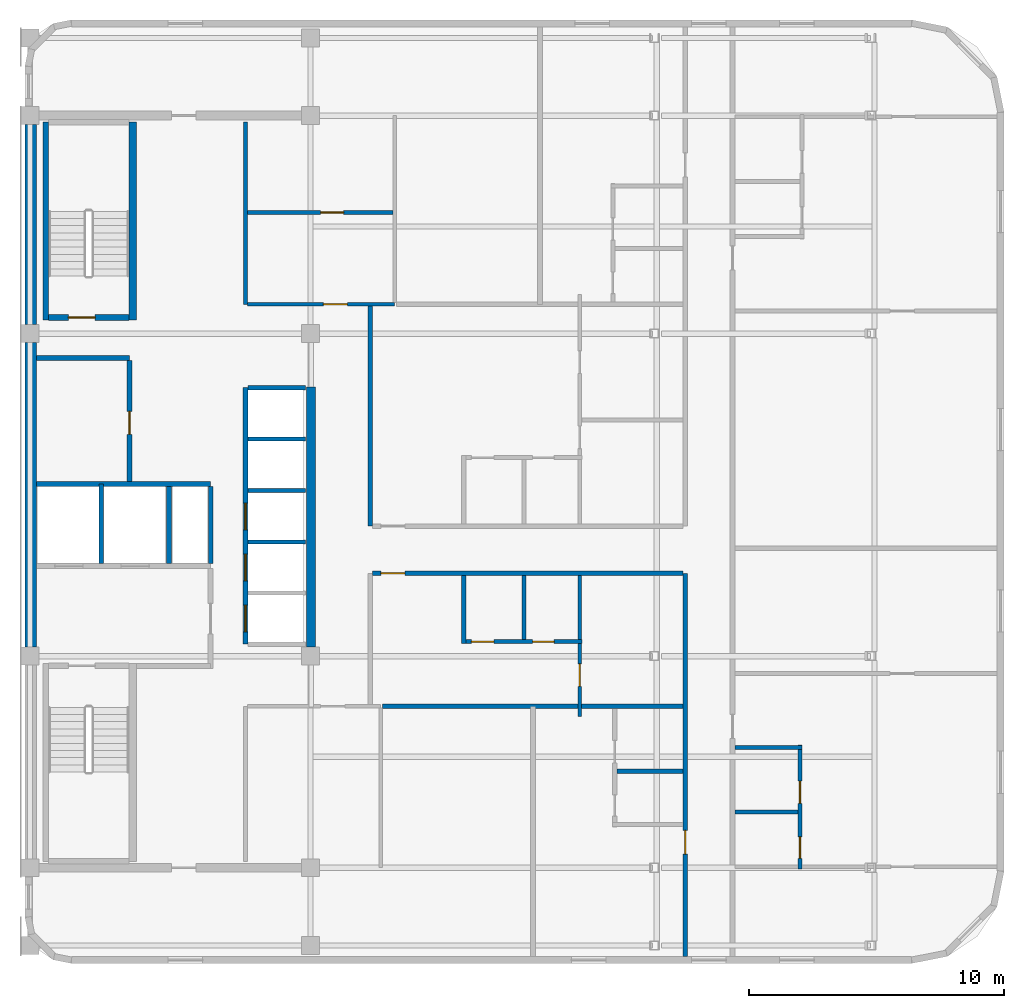
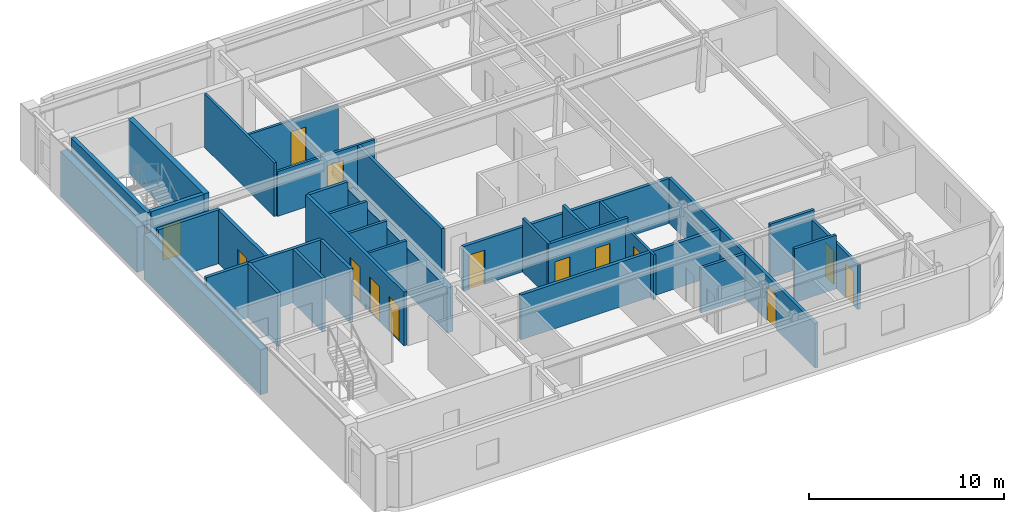
# One storey, part 3 of 6: 32 walls, 14 doors, 14 openings.
"""IFC4 building model written with IfcOpenShell, lengths in metres."""

from ifc_helpers import new_model, si_unit, direction, frame, frame_2d, origin, place, context, subcontext, project, spatial, rectangle, extrude, material, layer, layer_set, type_object, element, fill, save


model = new_model("IFC4")

# Units and contexts
model_context = context("Model", 3, precision=1e-05, world=origin(), true_north=direction((0.0, 1.0)))
body_context = subcontext(model_context, "Body", "Model", "MODEL_VIEW")
ifc_project = project(units=[si_unit("LENGTHUNIT", "METRE"), si_unit("AREAUNIT", "SQUARE_METRE"), si_unit("VOLUMEUNIT", "CUBIC_METRE"), si_unit("PLANEANGLEUNIT", "RADIAN"), si_unit("MASSUNIT", "GRAM", prefix="KILO")], contexts=[model_context])

# Site, building, storey
site_placement = place(None, origin())
site = spatial("IfcSite", under=ifc_project, at=site_placement, CompositionType="ELEMENT")
building_placement = place(site_placement, origin())
building = spatial("IfcBuilding", under=site, at=building_placement, Name="Ochreholt Gables", CompositionType="ELEMENT")
storey_placement = place(building_placement, frame((0.0, 0.0, 249.60009765625)))
storey = spatial("IfcBuildingStorey", under=building, at=storey_placement, Name="L65", CompositionType="ELEMENT", Elevation=249.60009765625)

# Walls
ifc_material_1 = material(Name="Concrete 50 MPa", Category="concrete")
ifc_layer_1 = layer(ifc_material_1, 0.35009765625, Name="Concrete 50 MPa")
ifc_layer_set_1 = layer_set([ifc_layer_1], Name="Concrete 50 MPa")
wall_type_1 = type_object("IfcWallType", Name="WALL-CSW-350", PredefinedType="SHEAR", material=ifc_layer_set_1)
wall_1_placement = place(storey_placement, frame((35.22509765625, 17.89990234375, 0.0), z_axis=(0.0, 0.0, 1.0), x_axis=(0.0, 1.0, 0.0)))
element("IfcWall", 1, at=wall_1_placement, inside=storey, type_object=wall_type_1, Name="L65 Core Central-East Shear Wall", PredefinedType="SHEAR", context=body_context, shape_type="SweptSolid", body=[
    extrude(rectangle(XDim=10.2001953125, YDim=0.35009765625, at=frame_2d((5.10009765625, 0.0))), origin(), (0.0, 0.0, 1.0), 2.82080078125),
])
ifc_layer_2 = layer(ifc_material_1, 0.449951171875, Name="Concrete 50 MPa")
ifc_layer_set_2 = layer_set([ifc_layer_2], Name="Concrete 50 MPa")
wall_type_2 = type_object("IfcWallType", Name="WALL-CSW-EXT", PredefinedType="SHEAR", material=ifc_layer_set_2)
wall_2_placement = place(storey_placement, frame((24.22509765625, 17.89990234375, 0.0), z_axis=(0.0, 0.0, 1.0), x_axis=(0.0, 1.0, 0.0)))
element("IfcWall", 2, at=wall_2_placement, inside=storey, type_object=wall_type_2, Name="L65 Core West Shear Wall WM", PredefinedType="SHEAR", context=body_context, shape_type="SweptSolid", body=[
    extrude(rectangle(XDim=11.9501953125, YDim=0.449951171875, at=frame_2d((5.97509765625, 0.0))), origin(), (0.0, 0.0, 1.0), 2.82080078125),
])
wall_3_placement = place(storey_placement, frame((24.22509765625, 30.550048828125, 0.0), z_axis=(0.0, 0.0, 1.0), x_axis=(0.0, 1.0, 0.0)))
element("IfcWall", 3, at=wall_3_placement, inside=storey, type_object=wall_type_2, Name="L65 Core West Shear Wall WN", PredefinedType="SHEAR", context=body_context, shape_type="SweptSolid", body=[
    extrude(rectangle(XDim=7.849853515625, YDim=0.449951171875, at=frame_2d((3.9248046875, 0.0))), origin(), (0.0, 0.0, 1.0), 2.82080078125),
])
ifc_material_2 = material(Name="Concrete 40 MPa", Category="concrete")
ifc_layer_3 = layer(ifc_material_2, 0.199951171875, Name="Concrete 40 MPa")
ifc_layer_set_3 = layer_set([ifc_layer_3], Name="Concrete 40 MPa")
wall_type_3 = type_object("IfcWallType", Name="WALL-INT-CF200", PredefinedType="STANDARD", material=ifc_layer_set_3)
wall_4_placement = place(storey_placement, frame((24.449951171875, 29.239990234375, 0.0), z_axis=(0.0, 0.0, 1.0), x_axis=(1.0, 0.0, 0.0)))
element("IfcWall", 4, at=wall_4_placement, inside=storey, type_object=wall_type_3, Name="L65 Interior Wall WI-SRVN-L65", PredefinedType="STANDARD", context=body_context, shape_type="SweptSolid", body=[
    extrude(rectangle(XDim=3.650146484375, YDim=0.199951171875, at=frame_2d((1.8251953125, 0.0))), origin(), (0.0, 0.0, 1.0), 3.35986328125),
])

# Wall, opening, door
wall_5_placement = place(storey_placement, frame((28.10009765625, 24.389892578125, 0.0), z_axis=(0.0, 0.0, 1.0), x_axis=(0.0, 1.0, 0.0)))
wall_5 = element("IfcWall", 5, at=wall_5_placement, inside=storey, type_object=wall_type_3, Name="L65 Interior Wall WI-SRVE-L65", PredefinedType="STANDARD", context=body_context, shape_type="SweptSolid", body=[
    extrude(rectangle(XDim=4.75, YDim=0.199951171875, at=frame_2d((2.375, 0.0))), origin(), (0.0, 0.0, 1.0), 3.35986328125),
])
opening_1_placement = place(wall_5_placement, frame((1.860107421875, 0.0, 0.0)))
opening_1 = element("IfcOpeningElement", 6, at=opening_1_placement, cuts=wall_5, Name="Opening D-SV1", PredefinedType="OPENING", context=body_context, shape_type="SweptSolid", body=[
    extrude(rectangle(XDim=0.89990234375, YDim=2.10009765625, at=frame_2d((0.449951171875, 1.050048828125))), frame((0.0, 0.10986328125, 0.0), z_axis=(0.0, -1.0, 0.0), x_axis=(1.0, 0.0, 0.0)), (0.0, 0.0, 1.0), 0.219970703125),
])
ifc_material_3 = material(Name="Hollow Metal Steel", Category="steel")
door_type_1 = type_object("IfcDoorType", Name="DR-INT-SRV900", OperationType="NOTDEFINED", PredefinedType="DOOR", material=ifc_material_3)
door_1_placement = place(opening_1_placement, origin())
door_1 = element("IfcDoor", 7, at=door_1_placement, inside=storey, type_object=door_type_1, Name="L65 Door D-SRV1-L65", OperationType="SINGLE_SWING_LEFT", OverallHeight=2.10009765625, OverallWidth=0.89990234375, PredefinedType="DOOR", context=body_context, shape_type="SweptSolid", body=[
    extrude(rectangle(XDim=0.89990234375, YDim=2.10009765625, at=frame_2d((0.449951171875, 1.050048828125))), frame((0.0, 0.02490234375, 0.0), z_axis=(0.0, -1.0, 0.0), x_axis=(1.0, 0.0, 0.0)), (0.0, 0.0, 1.0), 0.050048828125),
])
fill(opening_1, door_1)

# Wall
ifc_material_4 = material(Name="Fire-Rated Gypsum Acoustic Partition", Category="gypsum")
ifc_layer_4 = layer(ifc_material_4, 0.179931640625, Name="Fire-Rated Gypsum Acoustic Partition")
ifc_layer_set_4 = layer_set([ifc_layer_4], Name="Fire-Rated Gypsum Acoustic Partition")
wall_type_4 = type_object("IfcWallType", Name="WALL-INT-CR180", PredefinedType="STANDARD", material=ifc_layer_set_4)
wall_6_placement = place(storey_placement, frame((37.550048828125, 22.64990234375, 0.0), z_axis=(0.0, 0.0, 1.0), x_axis=(0.0, 1.0, 0.0)))
element("IfcWall", 8, at=wall_6_placement, inside=storey, type_object=wall_type_4, Name="L65 Interior Wall WI-C3CE2-L65", PredefinedType="STANDARD", context=body_context, shape_type="SweptSolid", body=[
    extrude(rectangle(XDim=8.627685546875, YDim=0.179931640625, at=frame_2d((4.31396484375, 0.0))), origin(), (0.0, 0.0, 1.0), 2.802978515625),
])

# Wall, opening, door
wall_7_placement = place(storey_placement, frame((49.89990234375, 5.77001953125, 0.0), z_axis=(0.0, 0.0, 1.0), x_axis=(0.0, 1.0, 0.0)))
wall_7 = element("IfcWall", 9, at=wall_7_placement, inside=storey, type_object=wall_type_4, Name="L65 Interior Wall WI-C3GW0-L65", PredefinedType="STANDARD", context=body_context, shape_type="SweptSolid", body=[
    extrude(rectangle(XDim=15.030029296875, YDim=0.179931640625, at=frame_2d((7.51513671875, 0.0))), origin(), (0.0, 0.0, 1.0), 2.802978515625),
])
opening_2_placement = place(wall_7_placement, frame((4.010009765625, 0.0, 0.0)))
opening_2 = element("IfcOpeningElement", 10, at=opening_2_placement, cuts=wall_7, Name="Opening D-UN2", PredefinedType="OPENING", context=body_context, shape_type="SweptSolid", body=[
    extrude(rectangle(XDim=0.93994140625, YDim=2.14990234375, at=frame_2d((0.469970703125, 1.074951171875))), frame((0.0, 0.099853515625, 0.0), z_axis=(0.0, -1.0, 0.0), x_axis=(1.0, 0.0, 0.0)), (0.0, 0.0, 1.0), 0.199951171875),
])
ifc_material_5 = material(Name="Engineered Oak Timber", Category="wood")
door_type_2 = type_object("IfcDoorType", Name="DR-INT-UNT940", OperationType="NOTDEFINED", PredefinedType="DOOR", material=ifc_material_5)
door_2_placement = place(opening_2_placement, origin())
door_2 = element("IfcDoor", 11, at=door_2_placement, inside=storey, type_object=door_type_2, Name="L65 Door D-U-L65SM1-ENT", OperationType="SINGLE_SWING_RIGHT", OverallHeight=2.14990234375, OverallWidth=0.93994140625, PredefinedType="DOOR", context=body_context, shape_type="SweptSolid", body=[
    extrude(rectangle(XDim=0.93994140625, YDim=2.14990234375, at=frame_2d((0.469970703125, 1.074951171875))), frame((0.0, 0.02490234375, 0.0), z_axis=(0.0, -1.0, 0.0), x_axis=(1.0, 0.0, 0.0)), (0.0, 0.0, 1.0), 0.050048828125),
])
fill(opening_2, door_2)

wall_8_placement = place(storey_placement, frame((37.639892578125, 20.800048828125, 0.0), z_axis=(0.0, 0.0, 1.0), x_axis=(1.0, 0.0, 0.0)))
wall_8 = element("IfcWall", 12, at=wall_8_placement, inside=storey, type_object=wall_type_4, Name="L65 Interior Wall WI-C3BRS1-L65", PredefinedType="STANDARD", context=body_context, shape_type="SweptSolid", body=[
    extrude(rectangle(XDim=12.170166015625, YDim=0.179931640625, at=frame_2d((6.0849609375, 0.0))), origin(), (0.0, 0.0, 1.0), 2.802978515625),
])
opening_3_placement = place(wall_8_placement, frame((0.320068359375, 0.0, 0.0)))
opening_3 = element("IfcOpeningElement", 13, at=opening_3_placement, cuts=wall_8, Name="Opening D-UN2", PredefinedType="OPENING", context=body_context, shape_type="SweptSolid", body=[
    extrude(rectangle(XDim=0.93994140625, YDim=2.14990234375, at=frame_2d((0.469970703125, 1.074951171875))), frame((0.0, 0.099853515625, 0.0), z_axis=(0.0, -1.0, 0.0), x_axis=(1.0, 0.0, 0.0)), (0.0, 0.0, 1.0), 0.199951171875),
])
door_3_placement = place(opening_3_placement, origin())
door_3 = element("IfcDoor", 14, at=door_3_placement, inside=storey, type_object=door_type_2, Name="L65 Door D-U-L65SM2-ENT", OperationType="SINGLE_SWING_RIGHT", OverallHeight=2.14990234375, OverallWidth=0.93994140625, PredefinedType="DOOR", context=body_context, shape_type="SweptSolid", body=[
    extrude(rectangle(XDim=0.93994140625, YDim=2.14990234375, at=frame_2d((0.469970703125, 1.074951171875))), frame((0.0, 0.02490234375, 0.0), z_axis=(0.0, -1.0, 0.0), x_axis=(1.0, 0.0, 0.0)), (0.0, 0.0, 1.0), 0.050048828125),
])
fill(opening_3, door_3)

# Walls
ifc_material_6 = material(Name="Double-Stud Acoustic Demising Wall", Category="gypsum")
ifc_layer_5 = layer(ifc_material_6, 0.18505859375, Name="Double-Stud Acoustic Demising Wall")
ifc_layer_set_5 = layer_set([ifc_layer_5], Name="Double-Stud Acoustic Demising Wall")
wall_type_5 = type_object("IfcWallType", Name="WALL-INT-DM185", PredefinedType="PARTITIONING", material=ifc_layer_set_5)
wall_9_placement = place(storey_placement, frame((38.0224609375, 15.580078125, 0.0), z_axis=(0.0, 0.0, 1.0), x_axis=(1.0, 0.0, 0.0)))
element("IfcWall", 15, at=wall_9_placement, inside=storey, type_object=wall_type_5, Name="L65 Interior Wall WI-C3SMY-L65", PredefinedType="PARTITIONING", context=body_context, shape_type="SweptSolid", body=[
    extrude(rectangle(XDim=11.78759765625, YDim=0.18505859375, at=frame_2d((5.893798828125, 0.0))), origin(), (0.0, 0.0, 1.0), 2.802978515625),
])
ifc_material_7 = material(Name="Moisture-Resistant Plumbing Chase Wall", Category="gypsum")
ifc_layer_6 = layer(ifc_material_7, 0.159912109375, Name="Moisture-Resistant Plumbing Chase Wall")
ifc_layer_set_6 = layer_set([ifc_layer_6], Name="Moisture-Resistant Plumbing Chase Wall")
wall_type_6 = type_object("IfcWallType", Name="WALL-INT-PL160", PredefinedType="PLUMBINGWALL", material=ifc_layer_set_6)
wall_10_placement = place(storey_placement, frame((51.840087890625, 13.968505859375, 0.0), z_axis=(0.0, 0.0, 1.0), x_axis=(1.0, 0.0, 0.0)))
element("IfcWall", 16, at=wall_10_placement, inside=storey, type_object=wall_type_6, Name="L65 Interior Wall WU-L65E1-FYN", PredefinedType="PLUMBINGWALL", context=body_context, shape_type="SweptSolid", body=[
    extrude(rectangle(XDim=2.635986328125, YDim=0.159912109375, at=frame_2d((1.31787109375, 0.0))), origin(), (0.0, 0.0, 1.0), 3.35986328125),
])

# Wall, openings, doors
wall_11_placement = place(storey_placement, frame((54.39599609375, 9.199951171875, 0.0), z_axis=(0.0, 0.0, 1.0), x_axis=(0.0, 1.0, 0.0)))
wall_11 = element("IfcWall", 17, at=wall_11_placement, inside=storey, type_object=wall_type_6, Name="L65 Interior Wall WU-L65E1-WX", PredefinedType="PLUMBINGWALL", context=body_context, shape_type="SweptSolid", body=[
    extrude(rectangle(XDim=4.858642578125, YDim=0.159912109375, at=frame_2d((2.42919921875, 0.0))), origin(), (0.0, 0.0, 1.0), 2.802978515625),
])
opening_4_placement = place(wall_11_placement, frame((0.419921875, 0.0, 0.0)))
opening_4 = element("IfcOpeningElement", 18, at=opening_4_placement, cuts=wall_11, Name="Opening D-BT2", PredefinedType="OPENING", context=body_context, shape_type="SweptSolid", body=[
    extrude(rectangle(XDim=0.840087890625, YDim=2.1201171875, at=frame_2d((0.419921875, 1.06005859375))), frame((0.0, 0.08984375, 0.0), z_axis=(0.0, -1.0, 0.0), x_axis=(1.0, 0.0, 0.0)), (0.0, 0.0, 1.0), 0.179931640625),
])
opening_5_placement = place(wall_11_placement, frame((2.572021484375, 0.0, 0.0)))
opening_5 = element("IfcOpeningElement", 19, at=opening_5_placement, cuts=wall_11, Name="Opening D-GN2", PredefinedType="OPENING", context=body_context, shape_type="SweptSolid", body=[
    extrude(rectangle(XDim=0.8798828125, YDim=2.1201171875, at=frame_2d((0.43994140625, 1.06005859375))), frame((0.0, 0.08984375, 0.0), z_axis=(0.0, -1.0, 0.0), x_axis=(1.0, 0.0, 0.0)), (0.0, 0.0, 1.0), 0.179931640625),
])
door_type_3 = type_object("IfcDoorType", Name="DR-INT-BTH840", OperationType="NOTDEFINED", PredefinedType="DOOR", material=ifc_material_5)
door_4_placement = place(opening_4_placement, origin())
door_4 = element("IfcDoor", 20, at=door_4_placement, inside=storey, type_object=door_type_3, Name="L65 Door D-U-L65E1-BTH", OperationType="SINGLE_SWING_LEFT", OverallHeight=2.1201171875, OverallWidth=0.840087890625, PredefinedType="DOOR", context=body_context, shape_type="SweptSolid", body=[
    extrude(rectangle(XDim=0.840087890625, YDim=2.1201171875, at=frame_2d((0.419921875, 1.06005859375))), frame((0.0, 0.02490234375, 0.0), z_axis=(0.0, -1.0, 0.0), x_axis=(1.0, 0.0, 0.0)), (0.0, 0.0, 1.0), 0.050048828125),
])
fill(opening_4, door_4)
door_type_4 = type_object("IfcDoorType", Name="DR-INT-GEN880", OperationType="NOTDEFINED", PredefinedType="DOOR", material=ifc_material_5)
door_5_placement = place(opening_5_placement, origin())
door_5 = element("IfcDoor", 21, at=door_5_placement, inside=storey, type_object=door_type_4, Name="L65 Door D-U-L65E1-KIT", OperationType="SINGLE_SWING_RIGHT", OverallHeight=2.1201171875, OverallWidth=0.8798828125, PredefinedType="DOOR", context=body_context, shape_type="SweptSolid", body=[
    extrude(rectangle(XDim=0.8798828125, YDim=2.1201171875, at=frame_2d((0.43994140625, 1.06005859375))), frame((0.0, 0.02490234375, 0.0), z_axis=(0.0, -1.0, 0.0), x_axis=(1.0, 0.0, 0.0)), (0.0, 0.0, 1.0), 0.050048828125),
])
fill(opening_5, door_5)

# Walls
wall_12_placement = place(storey_placement, frame((51.840087890625, 11.442138671875, 0.0), z_axis=(0.0, 0.0, 1.0), x_axis=(1.0, 0.0, 0.0)))
element("IfcWall", 22, at=wall_12_placement, inside=storey, type_object=wall_type_6, Name="L65 Interior Wall WU-L65E1-WK", PredefinedType="PLUMBINGWALL", context=body_context, shape_type="SweptSolid", body=[
    extrude(rectangle(XDim=2.475830078125, YDim=0.159912109375, at=frame_2d((1.23779296875, 0.0))), origin(), (0.0, 0.0, 1.0), 3.35986328125),
])
wall_13_placement = place(storey_placement, frame((47.2119140625, 13.032958984375, 0.0), z_axis=(0.0, 0.0, 1.0), x_axis=(1.0, 0.0, 0.0)))
element("IfcWall", 23, at=wall_13_placement, inside=storey, type_object=wall_type_6, Name="L65 Interior Wall WU-L65SM1-WM", PredefinedType="PLUMBINGWALL", context=body_context, shape_type="SweptSolid", body=[
    extrude(rectangle(XDim=2.59814453125, YDim=0.159912109375, at=frame_2d((1.299072265625, 0.0))), origin(), (0.0, 0.0, 1.0), 2.802978515625),
])

# Wall, openings, doors
wall_14_placement = place(storey_placement, frame((41.1298828125, 18.117431640625, 0.0), z_axis=(0.0, 0.0, 1.0), x_axis=(1.0, 0.0, 0.0)))
wall_14 = element("IfcWall", 24, at=wall_14_placement, inside=storey, type_object=wall_type_6, Name="L65 Interior Wall WU-L65SM2-WY", PredefinedType="PLUMBINGWALL", context=body_context, shape_type="SweptSolid", body=[
    extrude(rectangle(XDim=4.710205078125, YDim=0.159912109375, at=frame_2d((2.35498046875, 0.0))), origin(), (0.0, 0.0, 1.0), 3.35986328125),
])
opening_6_placement = place(wall_14_placement, frame((0.3798828125, 0.0, 0.0)))
opening_6 = element("IfcOpeningElement", 25, at=opening_6_placement, cuts=wall_14, Name="Opening D-GN2", PredefinedType="OPENING", context=body_context, shape_type="SweptSolid", body=[
    extrude(rectangle(XDim=0.8798828125, YDim=2.1201171875, at=frame_2d((0.43994140625, 1.06005859375))), frame((0.0, 0.08984375, 0.0), z_axis=(0.0, -1.0, 0.0), x_axis=(1.0, 0.0, 0.0)), (0.0, 0.0, 1.0), 0.179931640625),
])
opening_7_placement = place(wall_14_placement, frame((2.785888671875, 0.0, 0.0)))
opening_7 = element("IfcOpeningElement", 26, at=opening_7_placement, cuts=wall_14, Name="Opening D-BT2", PredefinedType="OPENING", context=body_context, shape_type="SweptSolid", body=[
    extrude(rectangle(XDim=0.840087890625, YDim=2.1201171875, at=frame_2d((0.419921875, 1.06005859375))), frame((0.0, 0.08984375, 0.0), z_axis=(0.0, -1.0, 0.0), x_axis=(1.0, 0.0, 0.0)), (0.0, 0.0, 1.0), 0.179931640625),
])
door_6_placement = place(opening_7_placement, origin())
door_6 = element("IfcDoor", 27, at=door_6_placement, inside=storey, type_object=door_type_3, Name="L65 Door D-U-L65SM2-BTH", OperationType="SINGLE_SWING_RIGHT", OverallHeight=2.1201171875, OverallWidth=0.840087890625, PredefinedType="DOOR", context=body_context, shape_type="SweptSolid", body=[
    extrude(rectangle(XDim=0.840087890625, YDim=2.1201171875, at=frame_2d((0.419921875, 1.06005859375))), frame((0.0, 0.02490234375, 0.0), z_axis=(0.0, -1.0, 0.0), x_axis=(1.0, 0.0, 0.0)), (0.0, 0.0, 1.0), 0.050048828125),
])
fill(opening_7, door_6)
door_7_placement = place(opening_6_placement, origin())
door_7 = element("IfcDoor", 28, at=door_7_placement, inside=storey, type_object=door_type_4, Name="L65 Door D-U-L65SM2-KIT", OperationType="SINGLE_SWING_LEFT", OverallHeight=2.1201171875, OverallWidth=0.8798828125, PredefinedType="DOOR", context=body_context, shape_type="SweptSolid", body=[
    extrude(rectangle(XDim=0.8798828125, YDim=2.1201171875, at=frame_2d((0.43994140625, 1.06005859375))), frame((0.0, 0.02490234375, 0.0), z_axis=(0.0, -1.0, 0.0), x_axis=(1.0, 0.0, 0.0)), (0.0, 0.0, 1.0), 0.050048828125),
])
fill(opening_6, door_7)

# Walls
wall_15_placement = place(storey_placement, frame((41.2099609375, 18.03759765625, 0.0), z_axis=(0.0, 0.0, 1.0), x_axis=(0.0, 1.0, 0.0)))
element("IfcWall", 29, at=wall_15_placement, inside=storey, type_object=wall_type_6, Name="L65 Interior Wall WU-L65SM2-FY", PredefinedType="PLUMBINGWALL", context=body_context, shape_type="SweptSolid", body=[
    extrude(rectangle(XDim=2.67236328125, YDim=0.159912109375, at=frame_2d((1.336181640625, 0.0))), origin(), (0.0, 0.0, 1.0), 3.35986328125),
])
wall_16_placement = place(storey_placement, frame((43.575927734375, 18.197509765625, 0.0), z_axis=(0.0, 0.0, 1.0), x_axis=(0.0, 1.0, 0.0)))
element("IfcWall", 30, at=wall_16_placement, inside=storey, type_object=wall_type_6, Name="L65 Interior Wall WU-L65SM2-WK", PredefinedType="PLUMBINGWALL", context=body_context, shape_type="SweptSolid", body=[
    extrude(rectangle(XDim=2.512451171875, YDim=0.159912109375, at=frame_2d((1.25634765625, 0.0))), origin(), (0.0, 0.0, 1.0), 3.35986328125),
])
ifc_material_8 = material(Name="Lightweight Stud Partition", Category="gypsum")
ifc_layer_7 = layer(ifc_material_8, 0.14501953125, Name="Lightweight Stud Partition")
ifc_layer_set_7 = layer_set([ifc_layer_7], Name="Lightweight Stud Partition")
wall_type_7 = type_object("IfcWallType", Name="WALL-INT-PT145", PredefinedType="PARTITIONING", material=ifc_layer_set_7)
wall_17_placement = place(storey_placement, frame((32.64990234375, 31.35009765625, 0.0), z_axis=(0.0, 0.0, 1.0), x_axis=(0.0, 1.0, 0.0)))
element("IfcWall", 31, at=wall_17_placement, inside=storey, type_object=wall_type_7, Name="L65 Interior Wall WI-RCM-W-L65", PredefinedType="PARTITIONING", context=body_context, shape_type="SweptSolid", body=[
    extrude(rectangle(XDim=7.14990234375, YDim=0.14501953125, at=frame_2d((3.574951171875, 0.0))), origin(), (0.0, 0.0, 1.0), 3.35986328125),
])

# Wall, opening, door
wall_18_placement = place(storey_placement, frame((32.722412109375, 31.35009765625, 0.0), z_axis=(0.0, 0.0, 1.0), x_axis=(1.0, 0.0, 0.0)))
wall_18 = element("IfcWall", 32, at=wall_18_placement, inside=storey, type_object=wall_type_7, Name="L65 Interior Wall WI-RCM-S-L65", PredefinedType="PARTITIONING", context=body_context, shape_type="SweptSolid", body=[
    extrude(rectangle(XDim=5.777587890625, YDim=0.14501953125, at=frame_2d((2.888671875, 0.0))), origin(), (0.0, 0.0, 1.0), 2.802978515625),
])
opening_8_placement = place(wall_18_placement, frame((2.9775390625, 0.0, 0.0)))
opening_8 = element("IfcOpeningElement", 33, at=opening_8_placement, cuts=wall_18, Name="Opening D-GN1", PredefinedType="OPENING", context=body_context, shape_type="SweptSolid", body=[
    extrude(rectangle(XDim=0.949951171875, YDim=2.14990234375, at=frame_2d((0.47509765625, 1.074951171875))), frame((0.0, 0.08251953125, 0.0), z_axis=(0.0, -1.0, 0.0), x_axis=(1.0, 0.0, 0.0)), (0.0, 0.0, 1.0), 0.1650390625),
])
door_type_5 = type_object("IfcDoorType", Name="DR-INT-GEN950", OperationType="NOTDEFINED", PredefinedType="DOOR", material=ifc_material_5)
door_8_placement = place(opening_8_placement, origin())
door_8 = element("IfcDoor", 34, at=door_8_placement, inside=storey, type_object=door_type_5, Name="L65 Door D-RCM-L65", OperationType="SINGLE_SWING_RIGHT", OverallHeight=2.14990234375, OverallWidth=0.949951171875, PredefinedType="DOOR", context=body_context, shape_type="SweptSolid", body=[
    extrude(rectangle(XDim=0.949951171875, YDim=2.14990234375, at=frame_2d((0.47509765625, 1.074951171875))), frame((0.0, 0.02490234375, 0.0), z_axis=(0.0, -1.0, 0.0), x_axis=(1.0, 0.0, 0.0)), (0.0, 0.0, 1.0), 0.050048828125),
])
fill(opening_8, door_8)

wall_19_placement = place(storey_placement, frame((32.722412109375, 34.949951171875, 0.0), z_axis=(0.0, 0.0, 1.0), x_axis=(1.0, 0.0, 0.0)))
wall_19 = element("IfcWall", 35, at=wall_19_placement, inside=storey, type_object=wall_type_7, Name="L65 Interior Wall WI-RCM-DV-L65", PredefinedType="PARTITIONING", context=body_context, shape_type="SweptSolid", body=[
    extrude(rectangle(XDim=5.705078125, YDim=0.14501953125, at=frame_2d((2.8525390625, 0.0))), origin(), (0.0, 0.0, 1.0), 2.802978515625),
])
opening_9_placement = place(wall_19_placement, frame((2.87744140625, 0.0, 0.0)))
opening_9 = element("IfcOpeningElement", 36, at=opening_9_placement, cuts=wall_19, Name="Opening D-SV1", PredefinedType="OPENING", context=body_context, shape_type="SweptSolid", body=[
    extrude(rectangle(XDim=0.89990234375, YDim=2.10009765625, at=frame_2d((0.449951171875, 1.050048828125))), frame((0.0, 0.08251953125, 0.0), z_axis=(0.0, -1.0, 0.0), x_axis=(1.0, 0.0, 0.0)), (0.0, 0.0, 1.0), 0.1650390625),
])
door_9_placement = place(opening_9_placement, origin())
door_9 = element("IfcDoor", 37, at=door_9_placement, inside=storey, type_object=door_type_1, Name="L65 Door D-RCMI-L65", OperationType="SINGLE_SWING_LEFT", OverallHeight=2.10009765625, OverallWidth=0.89990234375, PredefinedType="DOOR", context=body_context, shape_type="SweptSolid", body=[
    extrude(rectangle(XDim=0.89990234375, YDim=2.10009765625, at=frame_2d((0.449951171875, 1.050048828125))), frame((0.0, 0.02490234375, 0.0), z_axis=(0.0, -1.0, 0.0), x_axis=(1.0, 0.0, 0.0)), (0.0, 0.0, 1.0), 0.050048828125),
])
fill(opening_9, door_9)

wall_20_placement = place(storey_placement, frame((45.760009765625, 15.18994140625, 0.0), z_axis=(0.0, 0.0, 1.0), x_axis=(0.0, 1.0, 0.0)))
wall_20 = element("IfcWall", 38, at=wall_20_placement, inside=storey, type_object=wall_type_7, Name="L65 Interior Wall WU-L65SM2-MNX", PredefinedType="PARTITIONING", context=body_context, shape_type="SweptSolid", body=[
    extrude(rectangle(XDim=5.52001953125, YDim=0.14501953125, at=frame_2d((2.760009765625, 0.0))), origin(), (0.0, 0.0, 1.0), 2.802978515625),
])
opening_10_placement = place(wall_20_placement, frame((1.173828125, 0.0, 0.0)))
opening_10 = element("IfcOpeningElement", 39, at=opening_10_placement, cuts=wall_20, Name="Opening D-BD2", PredefinedType="OPENING", context=body_context, shape_type="SweptSolid", body=[
    extrude(rectangle(XDim=0.8798828125, YDim=2.139892578125, at=frame_2d((0.43994140625, 1.06982421875))), frame((0.0, 0.08251953125, 0.0), z_axis=(0.0, -1.0, 0.0), x_axis=(1.0, 0.0, 0.0)), (0.0, 0.0, 1.0), 0.1650390625),
])
door_type_6 = type_object("IfcDoorType", Name="DR-INT-BED880", OperationType="NOTDEFINED", PredefinedType="DOOR", material=ifc_material_5)
door_10_placement = place(opening_10_placement, origin())
door_10 = element("IfcDoor", 40, at=door_10_placement, inside=storey, type_object=door_type_6, Name="L65 Door D-U-L65SM2-BD1", OperationType="SINGLE_SWING_LEFT", OverallHeight=2.139892578125, OverallWidth=0.8798828125, PredefinedType="DOOR", context=body_context, shape_type="SweptSolid", body=[
    extrude(rectangle(XDim=0.8798828125, YDim=2.139892578125, at=frame_2d((0.43994140625, 1.06982421875))), frame((0.0, 0.02490234375, 0.0), z_axis=(0.0, -1.0, 0.0), x_axis=(1.0, 0.0, 0.0)), (0.0, 0.0, 1.0), 0.050048828125),
])
fill(opening_10, door_10)

# Walls
ifc_material_9 = material(Name="Gypsum Shaftliner and Steel Stud", Category="steel")
ifc_layer_8 = layer(ifc_material_9, 0.14990234375, Name="Gypsum Shaftliner and Steel Stud")
ifc_layer_set_8 = layer_set([ifc_layer_8], Name="Gypsum Shaftliner and Steel Stud")
wall_type_8 = type_object("IfcWallType", Name="WALL-INT-SH150", PredefinedType="STANDARD", material=ifc_layer_set_8)
for number, where, z_axis, x_axis, name in (
    (41, (32.739990234375, 22.02001953125, 0.0), (0.0, 0.0, 1.0), (1.0, 0.0, 0.0), "L65 Interior Wall WI-LFHE-DH2-L65"),
    (42, (32.739990234375, 24.050048828125, 0.0), (0.0, 0.0, 1.0), (1.0, 0.0, 0.0), "L65 Interior Wall WI-LFHE-DHE-L65"),
    (43, (32.739990234375, 26.070068359375, 0.0), (0.0, 0.0, 1.0), (1.0, 0.0, 0.0), "L65 Interior Wall WI-LFHE-DEX1-L65"),
):
    element("IfcWall", number, at=place(storey_placement, frame(where, z_axis=z_axis, x_axis=x_axis)), inside=storey, type_object=wall_type_8, Name=name, PredefinedType="STANDARD", context=body_context, shape_type="SweptSolid", body=[
        extrude(rectangle(XDim=2.260009765625, YDim=0.14990234375, at=frame_2d((1.1298828125, 0.0))), origin(), (0.0, 0.0, 1.0), 3.35986328125),
    ])
ifc_layer_9 = layer(ifc_material_9, 0.179931640625, Name="Gypsum Shaftliner and Steel Stud")
ifc_layer_set_9 = layer_set([ifc_layer_9], Name="Gypsum Shaftliner and Steel Stud")
wall_type_9 = type_object("IfcWallType", Name="WALL-INT-SH180", PredefinedType="STANDARD", material=ifc_layer_set_9)
wall_21_placement = place(storey_placement, frame((27.0, 21.18994140625, 0.0), z_axis=(0.0, 0.0, 1.0), x_axis=(0.0, 1.0, 0.0)))
element("IfcWall", 44, at=wall_21_placement, inside=storey, type_object=wall_type_9, Name="L65 Interior Wall WI-FFDIV-L65", PredefinedType="STANDARD", context=body_context, shape_type="SweptSolid", body=[
    extrude(rectangle(XDim=3.110107421875, YDim=0.179931640625, at=frame_2d((1.55517578125, 0.0))), origin(), (0.0, 0.0, 1.0), 3.35986328125),
])
wall_22_placement = place(storey_placement, frame((24.449951171875, 24.300048828125, 0.0), z_axis=(0.0, 0.0, 1.0), x_axis=(1.0, 0.0, 0.0)))
element("IfcWall", 45, at=wall_22_placement, inside=storey, type_object=wall_type_9, Name="L65 Interior Wall WI-FFBK-L65", PredefinedType="STANDARD", context=body_context, shape_type="SweptSolid", body=[
    extrude(rectangle(XDim=6.830078125, YDim=0.179931640625, at=frame_2d((3.4150390625, 0.0))), origin(), (0.0, 0.0, 1.0), 3.35986328125),
])
for number, where, z_axis, x_axis, name in (
    (46, (29.64990234375, 21.18994140625, 0.0), (0.0, 0.0, 1.0), (0.0, 1.0, 0.0), "L65 Interior Wall WI-FFSH-L65"),
    (47, (31.280029296875, 21.18994140625, 0.0), (0.0, 0.0, 1.0), (0.0, 1.0, 0.0), "L65 Interior Wall WI-RSE-L65"),
):
    element("IfcWall", number, at=place(storey_placement, frame(where, z_axis=z_axis, x_axis=x_axis)), inside=storey, type_object=wall_type_9, Name=name, PredefinedType="STANDARD", context=body_context, shape_type="SweptSolid", body=[
        extrude(rectangle(XDim=3.02001953125, YDim=0.179931640625, at=frame_2d((1.510009765625, 0.0))), origin(), (0.0, 0.0, 1.0), 3.35986328125),
    ])

# Wall, openings, doors
wall_23_placement = place(storey_placement, frame((32.64990234375, 18.02001953125, 0.0), z_axis=(0.0, 0.0, 1.0), x_axis=(0.0, 1.0, 0.0)))
wall_23 = element("IfcWall", 48, at=wall_23_placement, inside=storey, type_object=wall_type_9, Name="L65 Interior Wall WI-LFHE-FR-L65", PredefinedType="STANDARD", context=body_context, shape_type="SweptSolid", body=[
    extrude(rectangle(XDim=10.06005859375, YDim=0.179931640625, at=frame_2d((5.030029296875, 0.0))), origin(), (0.0, 0.0, 1.0), 3.35986328125),
])
opening_11_placement = place(wall_23_placement, frame((0.47998046875, 0.0, 0.0)))
opening_11 = element("IfcOpeningElement", 49, at=opening_11_placement, cuts=wall_23, Name="Opening LD-PX", PredefinedType="OPENING", context=body_context, shape_type="SweptSolid", body=[
    extrude(rectangle(XDim=1.050048828125, YDim=2.199951171875, at=frame_2d((0.52490234375, 1.10009765625))), frame((0.0, 0.099853515625, 0.0), z_axis=(0.0, -1.0, 0.0), x_axis=(1.0, 0.0, 0.0)), (0.0, 0.0, 1.0), 0.199951171875),
])
opening_12_placement = place(wall_23_placement, frame((2.47998046875, 0.0, 0.0)))
opening_12 = element("IfcOpeningElement", 50, at=opening_12_placement, cuts=wall_23, Name="Opening LD-PX", PredefinedType="OPENING", context=body_context, shape_type="SweptSolid", body=[
    extrude(rectangle(XDim=1.050048828125, YDim=2.199951171875, at=frame_2d((0.52490234375, 1.10009765625))), frame((0.0, 0.099853515625, 0.0), z_axis=(0.0, -1.0, 0.0), x_axis=(1.0, 0.0, 0.0)), (0.0, 0.0, 1.0), 0.199951171875),
])
opening_13_placement = place(wall_23_placement, frame((4.47998046875, 0.0, 0.0)))
opening_13 = element("IfcOpeningElement", 51, at=opening_13_placement, cuts=wall_23, Name="Opening LD-PX", PredefinedType="OPENING", context=body_context, shape_type="SweptSolid", body=[
    extrude(rectangle(XDim=1.050048828125, YDim=2.199951171875, at=frame_2d((0.52490234375, 1.10009765625))), frame((0.0, 0.099853515625, 0.0), z_axis=(0.0, -1.0, 0.0), x_axis=(1.0, 0.0, 0.0)), (0.0, 0.0, 1.0), 0.199951171875),
])
ifc_material_10 = material(Name="Stainless Steel", Category="steel")
door_type_7 = type_object("IfcDoorType", Name="DR-LFT-PX1050", OperationType="NOTDEFINED", PredefinedType="DOOR", material=ifc_material_10)
door_11_placement = place(opening_11_placement, origin())
door_11 = element("IfcDoor", 52, at=door_11_placement, inside=storey, type_object=door_type_7, Name="L65 Door LD-LF-H1-L65", OperationType="SLIDING_TO_LEFT", OverallHeight=2.199951171875, OverallWidth=1.050048828125, PredefinedType="DOOR", context=body_context, shape_type="SweptSolid", body=[
    extrude(rectangle(XDim=1.050048828125, YDim=2.199951171875, at=frame_2d((0.52490234375, 1.10009765625))), frame((0.0, 0.02490234375, 0.0), z_axis=(0.0, -1.0, 0.0), x_axis=(1.0, 0.0, 0.0)), (0.0, 0.0, 1.0), 0.050048828125),
])
fill(opening_11, door_11)
door_12_placement = place(opening_12_placement, origin())
door_12 = element("IfcDoor", 53, at=door_12_placement, inside=storey, type_object=door_type_7, Name="L65 Door LD-LF-H2-L65", OperationType="SLIDING_TO_LEFT", OverallHeight=2.199951171875, OverallWidth=1.050048828125, PredefinedType="DOOR", context=body_context, shape_type="SweptSolid", body=[
    extrude(rectangle(XDim=1.050048828125, YDim=2.199951171875, at=frame_2d((0.52490234375, 1.10009765625))), frame((0.0, 0.02490234375, 0.0), z_axis=(0.0, -1.0, 0.0), x_axis=(1.0, 0.0, 0.0)), (0.0, 0.0, 1.0), 0.050048828125),
])
fill(opening_12, door_12)
door_13_placement = place(opening_13_placement, origin())
door_13 = element("IfcDoor", 54, at=door_13_placement, inside=storey, type_object=door_type_7, Name="L65 Door LD-LF-H3-L65", OperationType="SLIDING_TO_LEFT", OverallHeight=2.199951171875, OverallWidth=1.050048828125, PredefinedType="DOOR", context=body_context, shape_type="SweptSolid", body=[
    extrude(rectangle(XDim=1.050048828125, YDim=2.199951171875, at=frame_2d((0.52490234375, 1.10009765625))), frame((0.0, 0.02490234375, 0.0), z_axis=(0.0, -1.0, 0.0), x_axis=(1.0, 0.0, 0.0)), (0.0, 0.0, 1.0), 0.050048828125),
])
fill(opening_13, door_13)

# Walls
wall_24_placement = place(storey_placement, frame((32.739990234375, 28.080078125, 0.0), z_axis=(0.0, 0.0, 1.0), x_axis=(1.0, 0.0, 0.0)))
element("IfcWall", 55, at=wall_24_placement, inside=storey, type_object=wall_type_9, Name="L65 Interior Wall WI-LFHE-N-L65", PredefinedType="STANDARD", context=body_context, shape_type="SweptSolid", body=[
    extrude(rectangle(XDim=2.260009765625, YDim=0.179931640625, at=frame_2d((1.1298828125, 0.0))), origin(), (0.0, 0.0, 1.0), 3.35986328125),
])
ifc_material_11 = material(Name="Concrete 60 MPa", Category="concrete")
ifc_layer_10 = layer(ifc_material_11, 0.300048828125, Name="Concrete 60 MPa")
ifc_layer_set_10 = layer_set([ifc_layer_10], Name="Concrete 60 MPa")
wall_type_10 = type_object("IfcWallType", Name="WALL-SPN-300", PredefinedType="SHEAR", material=ifc_layer_set_10)
wall_25_placement = place(storey_placement, frame((28.22998046875, 30.739990234375, 0.0), z_axis=(0.0, 0.0, 1.0), x_axis=(0.0, 1.0, 0.0)))
element("IfcWall", 56, at=wall_25_placement, inside=storey, type_object=wall_type_10, Name="L65 Core North Spine Shear Wall", PredefinedType="SHEAR", context=body_context, shape_type="SweptSolid", body=[
    extrude(rectangle(XDim=7.760009765625, YDim=0.300048828125, at=frame_2d((3.8798828125, 0.0))), origin(), (0.0, 0.0, 1.0), 3.35986328125),
])
ifc_layer_11 = layer(ifc_material_1, 0.219970703125, Name="Concrete 50 MPa")
ifc_layer_set_11 = layer_set([ifc_layer_11], Name="Concrete 50 MPa")
wall_type_11 = type_object("IfcWallType", Name="WALL-STW-220", PredefinedType="SHEAR", material=ifc_layer_set_11)
wall_26_placement = place(storey_placement, frame((24.81005859375, 30.739990234375, 0.0), z_axis=(0.0, 0.0, 1.0), x_axis=(0.0, 1.0, 0.0)))
element("IfcWall", 57, at=wall_26_placement, inside=storey, type_object=wall_type_11, Name="L65 Exit Stair 2 West Wall", PredefinedType="SHEAR", context=body_context, shape_type="SweptSolid", body=[
    extrude(rectangle(XDim=7.760009765625, YDim=0.219970703125, at=frame_2d((3.8798828125, 0.0))), origin(), (0.0, 0.0, 1.0), 3.35986328125),
])

# Wall, opening, door
wall_27_placement = place(storey_placement, frame((24.919921875, 30.830078125, 0.0), z_axis=(0.0, 0.0, 1.0), x_axis=(1.0, 0.0, 0.0)))
wall_27 = element("IfcWall", 58, at=wall_27_placement, inside=storey, type_object=wall_type_11, Name="L65 Exit Stair 2 South Wall", PredefinedType="SHEAR", context=body_context, shape_type="SweptSolid", body=[
    extrude(rectangle(XDim=3.16015625, YDim=0.219970703125, at=frame_2d((1.580078125, 0.0))), origin(), (0.0, 0.0, 1.0), 3.35986328125),
])
opening_14_placement = place(wall_27_placement, frame((0.780029296875, 0.0, 0.0)))
opening_14 = element("IfcOpeningElement", 59, at=opening_14_placement, cuts=wall_27, Name="Opening D-STC", PredefinedType="OPENING", context=body_context, shape_type="SweptSolid", body=[
    extrude(rectangle(XDim=1.050048828125, YDim=2.14990234375, at=frame_2d((0.52490234375, 1.074951171875))), frame((0.0, 0.119873046875, 0.0), z_axis=(0.0, -1.0, 0.0), x_axis=(1.0, 0.0, 0.0)), (0.0, 0.0, 1.0), 0.239990234375),
])
door_type_8 = type_object("IfcDoorType", Name="DR-INT-ST1050", OperationType="NOTDEFINED", PredefinedType="DOOR", material=ifc_material_3)
door_14_placement = place(opening_14_placement, origin())
door_14 = element("IfcDoor", 60, at=door_14_placement, inside=storey, type_object=door_type_8, Name="L65 Door D-ST2-L65", OperationType="SINGLE_SWING_RIGHT", OverallHeight=2.14990234375, OverallWidth=1.050048828125, PredefinedType="DOOR", context=body_context, shape_type="SweptSolid", body=[
    extrude(rectangle(XDim=1.050048828125, YDim=2.14990234375, at=frame_2d((0.52490234375, 1.074951171875))), frame((0.0, 0.02490234375, 0.0), z_axis=(0.0, -1.0, 0.0), x_axis=(1.0, 0.0, 0.0)), (0.0, 0.0, 1.0), 0.050048828125),
])
fill(opening_14, door_14)

save(model, "model.ifc")
